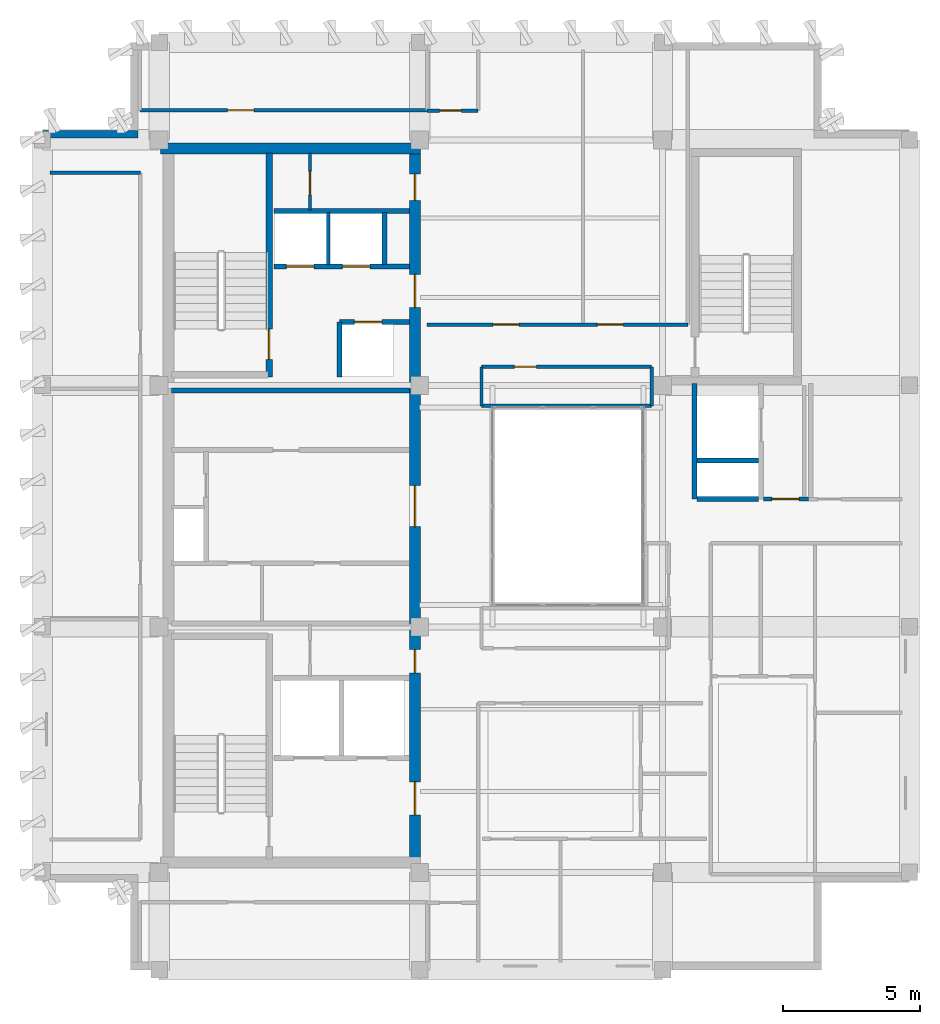
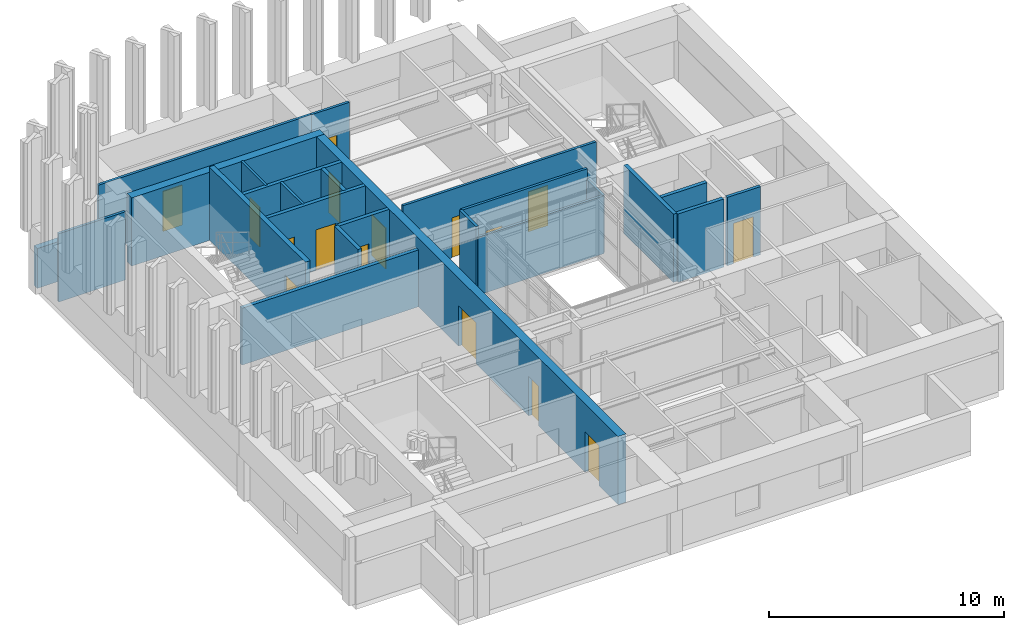
# One storey, part 8 of 11: 24 walls, 16 doors, 16 openings.
"""IFC4 building model written with IfcOpenShell, lengths in metres."""

from ifc_helpers import new_model, si_unit, direction, frame, frame_2d, origin, place, context, subcontext, project, spatial, rectangle, extrude, material, layer, layer_set, type_object, element, fill, save


model = new_model("IFC4")

# Units and contexts
model_context = context("Model", 3, precision=1e-05, world=origin(), true_north=direction((0.0, 1.0)))
body_context = subcontext(model_context, "Body", "Model", "MODEL_VIEW")
ifc_project = project(units=[si_unit("LENGTHUNIT", "METRE"), si_unit("AREAUNIT", "SQUARE_METRE"), si_unit("VOLUMEUNIT", "CUBIC_METRE"), si_unit("PLANEANGLEUNIT", "RADIAN"), si_unit("MASSUNIT", "GRAM", prefix="KILO")], contexts=[model_context])

# Site, building, storey
site_placement = place(None, origin())
site = spatial("IfcSite", under=ifc_project, at=site_placement, CompositionType="ELEMENT")
building_placement = place(site_placement, origin())
building = spatial("IfcBuilding", under=site, at=building_placement, Name="Kundavana Baori Tower", CompositionType="ELEMENT")
storey_placement = place(building_placement, frame((0.0, 0.0, 346.699951171875)))
storey = spatial("IfcBuildingStorey", under=building, at=storey_placement, Name="L86", CompositionType="ELEMENT", Elevation=346.699951171875)

# Wall
ifc_material_1 = material(Name="Concrete C50/60", Category="concrete")
ifc_layer_1 = layer(ifc_material_1, 0.39990234375, Name="WL-CORE-400")
ifc_layer_set_1 = layer_set([ifc_layer_1], Name="Concrete C50/60")
wall_type_1 = type_object("IfcWallType", Name="WL-CORE-400", PredefinedType="SHEAR", material=ifc_layer_set_1)
wall_1_placement = place(storey_placement, frame((15.5, 41.639892578125, 0.0), z_axis=(0.0, 0.0, 1.0), x_axis=(1.0, 0.0, 0.0)))
element("IfcWall", 1, at=wall_1_placement, inside=storey, type_object=wall_type_1, Name="L86 Offset Core North Shear Wall", PredefinedType="SHEAR", context=body_context, shape_type="SweptSolid", body=[
    extrude(rectangle(XDim=9.47998046875, YDim=0.39990234375, at=frame_2d((4.739990234375, 0.0))), origin(), (0.0, 0.0, 1.0), 3.550048828125),
])

# Wall, openings, doors
wall_2_placement = place(storey_placement, frame((24.780029296875, 15.739990234375, 0.0), z_axis=(0.0, 0.0, 1.0), x_axis=(0.0, 1.0, 0.0)))
wall_2 = element("IfcWall", 2, at=wall_2_placement, inside=storey, type_object=wall_type_1, Name="L86 Offset Core East Shear Wall", PredefinedType="SHEAR", context=body_context, shape_type="SweptSolid", body=[
    extrude(rectangle(XDim=25.760009765625, YDim=0.39990234375, at=frame_2d((12.8798828125, 0.0))), origin(), (0.0, 0.0, 1.0), 3.550048828125),
])
opening_1_placement = place(wall_2_placement, frame((1.610107421875, 0.0, 0.0)))
opening_1 = element("IfcOpeningElement", 3, at=opening_1_placement, cuts=wall_2, Name="Opening FD-120", PredefinedType="OPENING", context=body_context, shape_type="SweptSolid", body=[
    extrude(rectangle(XDim=1.199951171875, YDim=2.10009765625, at=frame_2d((0.60009765625, 1.050048828125))), frame((0.0, 0.2099609375, 0.0), z_axis=(0.0, -1.0, 0.0), x_axis=(1.0, 0.0, 0.0)), (0.0, 0.0, 1.0), 0.419921875),
])
opening_2_placement = place(wall_2_placement, frame((6.780029296875, 0.0, 0.0)))
opening_2 = element("IfcOpeningElement", 4, at=opening_2_placement, cuts=wall_2, Name="Opening FD-085", PredefinedType="OPENING", context=body_context, shape_type="SweptSolid", body=[
    extrude(rectangle(XDim=0.85009765625, YDim=2.06005859375, at=frame_2d((0.425048828125, 1.030029296875))), frame((0.0, 0.2099609375, 0.0), z_axis=(0.0, -1.0, 0.0), x_axis=(1.0, 0.0, 0.0)), (0.0, 0.0, 1.0), 0.419921875),
])
opening_3_placement = place(wall_2_placement, frame((12.110107421875, 0.0, 0.0)))
opening_3 = element("IfcOpeningElement", 5, at=opening_3_placement, cuts=wall_2, Name="Opening FD-150", PredefinedType="OPENING", context=body_context, shape_type="SweptSolid", body=[
    extrude(rectangle(XDim=1.5, YDim=2.1201171875, at=frame_2d((0.75, 1.06005859375))), frame((0.0, 0.2099609375, 0.0), z_axis=(0.0, -1.0, 0.0), x_axis=(1.0, 0.0, 0.0)), (0.0, 0.0, 1.0), 0.419921875),
])
opening_4_placement = place(wall_2_placement, frame((20.110107421875, 0.0, 0.0)))
opening_4 = element("IfcOpeningElement", 6, at=opening_4_placement, cuts=wall_2, Name="Opening FD-122", PredefinedType="OPENING", context=body_context, shape_type="SweptSolid", body=[
    extrude(rectangle(XDim=1.199951171875, YDim=2.1201171875, at=frame_2d((0.60009765625, 1.06005859375))), frame((0.0, 0.2099609375, 0.0), z_axis=(0.0, -1.0, 0.0), x_axis=(1.0, 0.0, 0.0)), (0.0, 0.0, 1.0), 0.419921875),
])
opening_5_placement = place(wall_2_placement, frame((24.010009765625, 0.0, 0.0)))
opening_5 = element("IfcOpeningElement", 7, at=opening_5_placement, cuts=wall_2, Name="Opening FD-095", PredefinedType="OPENING", context=body_context, shape_type="SweptSolid", body=[
    extrude(rectangle(XDim=0.949951171875, YDim=2.10009765625, at=frame_2d((0.47509765625, 1.050048828125))), frame((0.0, 0.2099609375, 0.0), z_axis=(0.0, -1.0, 0.0), x_axis=(1.0, 0.0, 0.0)), (0.0, 0.0, 1.0), 0.419921875),
])
ifc_material_2 = material(Name="Galvanised Steel Fire-Rated Door Leaf", Category="steel")
door_type_1 = type_object("IfcDoorType", Name="DR-FD120-1200", OperationType="NOTDEFINED", PredefinedType="DOOR", material=ifc_material_2)
door_1_placement = place(opening_1_placement, frame((1.199951171875, 0.0, 0.0), z_axis=(0.0, 0.0, 1.0), x_axis=(-1.0, 0.0, 0.0)))
door_1 = element("IfcDoor", 8, at=door_1_placement, inside=storey, type_object=door_type_1, Name="DR-L86-FFLOB-E", OperationType="SINGLE_SWING_RIGHT", OverallHeight=2.10009765625, OverallWidth=1.199951171875, PredefinedType="DOOR", context=body_context, shape_type="SweptSolid", body=[
    extrude(rectangle(XDim=1.199951171875, YDim=2.10009765625, at=frame_2d((0.60009765625, 1.050048828125))), frame((0.0, 0.02490234375, 0.0), z_axis=(0.0, -1.0, 0.0), x_axis=(1.0, 0.0, 0.0)), (0.0, 0.0, 1.0), 0.050048828125),
])
fill(opening_1, door_1)
ifc_material_3 = material(Name="Galvanised Steel Fire-Rated Door Leaf", Category="steel")
door_type_2 = type_object("IfcDoorType", Name="DR-FD60-1200", OperationType="NOTDEFINED", PredefinedType="DOOR", material=ifc_material_3)
door_2_placement = place(opening_4_placement, frame((1.199951171875, 0.0, 0.0), z_axis=(0.0, 0.0, 1.0), x_axis=(-1.0, 0.0, 0.0)))
door_2 = element("IfcDoor", 9, at=door_2_placement, inside=storey, type_object=door_type_2, Name="DR-L86-HRLOB-E", OperationType="SINGLE_SWING_RIGHT", OverallHeight=2.1201171875, OverallWidth=1.199951171875, PredefinedType="DOOR", context=body_context, shape_type="SweptSolid", body=[
    extrude(rectangle(XDim=1.199951171875, YDim=2.1201171875, at=frame_2d((0.60009765625, 1.06005859375))), frame((0.0, 0.02490234375, 0.0), z_axis=(0.0, -1.0, 0.0), x_axis=(1.0, 0.0, 0.0)), (0.0, 0.0, 1.0), 0.050048828125),
])
fill(opening_4, door_2)
ifc_material_4 = material(Name="Galvanised Steel Fire-Rated Door Leaf", Category="steel")
door_type_3 = type_object("IfcDoorType", Name="DR-FD60-1500", OperationType="NOTDEFINED", PredefinedType="DOOR", material=ifc_material_4)
door_3_placement = place(opening_3_placement, frame((1.5, 0.0, 0.0), z_axis=(0.0, 0.0, 1.0), x_axis=(-1.0, 0.0, 0.0)))
door_3 = element("IfcDoor", 10, at=door_3_placement, inside=storey, type_object=door_type_3, Name="DR-L86-LIFTHALL-E", OperationType="SINGLE_SWING_LEFT", OverallHeight=2.1201171875, OverallWidth=1.5, PredefinedType="DOOR", context=body_context, shape_type="SweptSolid", body=[
    extrude(rectangle(XDim=1.5, YDim=2.1201171875, at=frame_2d((0.75, 1.06005859375))), frame((0.0, 0.02490234375, 0.0), z_axis=(0.0, -1.0, 0.0), x_axis=(1.0, 0.0, 0.0)), (0.0, 0.0, 1.0), 0.050048828125),
])
fill(opening_3, door_3)
ifc_material_5 = material(Name="Galvanised Steel Fire-Rated Door Leaf", Category="steel")
door_type_4 = type_object("IfcDoorType", Name="DR-FD60-850", OperationType="NOTDEFINED", PredefinedType="DOOR", material=ifc_material_5)
door_4_placement = place(opening_2_placement, frame((0.85009765625, 0.0, 0.0), z_axis=(0.0, 0.0, 1.0), x_axis=(-1.0, 0.0, 0.0)))
door_4 = element("IfcDoor", 11, at=door_4_placement, inside=storey, type_object=door_type_4, Name="DR-L86-CSMK2", OperationType="SINGLE_SWING_LEFT", OverallHeight=2.06005859375, OverallWidth=0.85009765625, PredefinedType="DOOR", context=body_context, shape_type="SweptSolid", body=[
    extrude(rectangle(XDim=0.85009765625, YDim=2.06005859375, at=frame_2d((0.425048828125, 1.030029296875))), frame((0.0, 0.02490234375, 0.0), z_axis=(0.0, -1.0, 0.0), x_axis=(1.0, 0.0, 0.0)), (0.0, 0.0, 1.0), 0.050048828125),
])
fill(opening_2, door_4)
ifc_material_6 = material(Name="Engineered Teak Fire-Rated Timber Door Leaf", Category="wood")
door_type_5 = type_object("IfcDoorType", Name="DR-FD60-950", OperationType="NOTDEFINED", PredefinedType="DOOR", material=ifc_material_6)
door_5_placement = place(opening_5_placement, frame((0.949951171875, 0.0, 0.0), z_axis=(0.0, 0.0, 1.0), x_axis=(-1.0, 0.0, 0.0)))
door_5 = element("IfcDoor", 12, at=door_5_placement, inside=storey, type_object=door_type_5, Name="DR-L86-CSRV2", OperationType="SINGLE_SWING_LEFT", OverallHeight=2.10009765625, OverallWidth=0.949951171875, PredefinedType="DOOR", context=body_context, shape_type="SweptSolid", body=[
    extrude(rectangle(XDim=0.949951171875, YDim=2.10009765625, at=frame_2d((0.47509765625, 1.050048828125))), frame((0.0, 0.02490234375, 0.0), z_axis=(0.0, -1.0, 0.0), x_axis=(1.0, 0.0, 0.0)), (0.0, 0.0, 1.0), 0.050048828125),
])
fill(opening_5, door_5)

# Wall, opening, door
wall_3_placement = place(storey_placement, frame((19.4599609375, 33.300048828125, 0.0), z_axis=(0.0, 0.0, 1.0), x_axis=(0.0, 1.0, 0.0)))
wall_3 = element("IfcWall", 13, at=wall_3_placement, inside=storey, type_object=wall_type_1, Name="WL-L86-ST2-E", PredefinedType="SHEAR", context=body_context, shape_type="SweptSolid", body=[
    extrude(rectangle(XDim=8.179931640625, YDim=0.239990234375, at=frame_2d((4.08984375, 0.0))), origin(), (0.0, 0.0, 1.0), 3.800048828125),
])
opening_6_placement = place(wall_3_placement, frame((0.64990234375, 0.0, 0.0)))
opening_6 = element("IfcOpeningElement", 14, at=opening_6_placement, cuts=wall_3, Name="Opening FD-110", PredefinedType="OPENING", context=body_context, shape_type="SweptSolid", body=[
    extrude(rectangle(XDim=1.10009765625, YDim=2.10009765625, at=frame_2d((0.550048828125, 1.050048828125))), frame((0.0, 0.1298828125, 0.0), z_axis=(0.0, -1.0, 0.0), x_axis=(1.0, 0.0, 0.0)), (0.0, 0.0, 1.0), 0.260009765625),
])
ifc_material_7 = material(Name="Galvanised Steel Fire-Rated Door Leaf", Category="steel")
door_type_6 = type_object("IfcDoorType", Name="DR-FD120-1100", OperationType="NOTDEFINED", PredefinedType="DOOR", material=ifc_material_7)
door_6_placement = place(opening_6_placement, origin())
door_6 = element("IfcDoor", 15, at=door_6_placement, inside=storey, type_object=door_type_6, Name="DR-L86-ST2", OperationType="SINGLE_SWING_RIGHT", OverallHeight=2.10009765625, OverallWidth=1.10009765625, PredefinedType="DOOR", context=body_context, shape_type="SweptSolid", body=[
    extrude(rectangle(XDim=1.10009765625, YDim=2.10009765625, at=frame_2d((0.550048828125, 1.050048828125))), frame((0.0, 0.02490234375, 0.0), z_axis=(0.0, -1.0, 0.0), x_axis=(1.0, 0.0, 0.0)), (0.0, 0.0, 1.0), 0.050048828125),
])
fill(opening_6, door_6)

# Walls
ifc_material_8 = material(Name="Red-Buff Dholpur Sandstone Cladding on Concrete C40/50", Category="masonry")
ifc_layer_2 = layer(ifc_material_8, 0.280029296875, Name="WL-EXT-SAND-280")
ifc_layer_set_2 = layer_set([ifc_layer_2], Name="Red-Buff Dholpur Sandstone Cladding on Concrete C40/50")
wall_type_2 = type_object("IfcWallType", Name="WL-EXT-SAND-280", PredefinedType="STANDARD", material=ifc_layer_set_2)
wall_4_placement = place(storey_placement, frame((14.679931640625, 42.159912109375, 0.0), z_axis=(0.0, 0.0, 1.0), x_axis=(-1.0, 0.0, 0.0)))
element("IfcWall", 16, at=wall_4_placement, inside=storey, type_object=wall_type_2, Name="L86 Exterior Insulated Facade Wall 09", PredefinedType="STANDARD", context=body_context, shape_type="SweptSolid", body=[
    extrude(rectangle(XDim=3.47998046875, YDim=0.280029296875, at=frame_2d((1.739990234375, 0.0))), origin(), (0.0, 0.0, 1.0), 2.070068359375),
])
ifc_material_9 = material(Name="Acoustic Gypsum Plasterboard on Galvanised Steel Studs", Category="steel")
ifc_layer_3 = layer(ifc_material_9, 0.1201171875, Name="WL-PART-120")
ifc_layer_set_3 = layer_set([ifc_layer_3], Name="Acoustic Gypsum Plasterboard on Galvanised Steel Studs")
wall_type_3 = type_object("IfcWallType", Name="WL-PART-120", PredefinedType="PARTITIONING", material=ifc_layer_set_3)
wall_5_placement = place(storey_placement, frame((21.6201171875, 37.39990234375, 0.0), z_axis=(0.0, 0.0, 1.0), x_axis=(0.0, 1.0, 0.0)))
element("IfcWall", 17, at=wall_5_placement, inside=storey, type_object=wall_type_3, Name="WL-L86-HR-DIV1", PredefinedType="PARTITIONING", context=body_context, shape_type="SweptSolid", body=[
    extrude(rectangle(XDim=1.900146484375, YDim=0.1201171875, at=frame_2d((0.9501953125, 0.0))), origin(), (0.0, 0.0, 1.0), 3.550048828125),
])

# Wall, opening, door
wall_6_placement = place(storey_placement, frame((20.949951171875, 39.39990234375, 0.0), z_axis=(0.0, 0.0, 1.0), x_axis=(0.0, 1.0, 0.0)))
wall_6 = element("IfcWall", 18, at=wall_6_placement, inside=storey, type_object=wall_type_3, Name="WL-L86-CSRV-D2", PredefinedType="PARTITIONING", context=body_context, shape_type="SweptSolid", body=[
    extrude(rectangle(XDim=2.080078125, YDim=0.1201171875, at=frame_2d((1.0400390625, 0.0))), origin(), (0.0, 0.0, 1.0), 3.550048828125),
])
opening_7_placement = place(wall_6_placement, frame((0.550048828125, 0.0, 0.0)))
opening_7 = element("IfcOpeningElement", 19, at=opening_7_placement, cuts=wall_6, Name="Opening FD-085", PredefinedType="OPENING", context=body_context, shape_type="SweptSolid", body=[
    extrude(rectangle(XDim=0.85009765625, YDim=2.06005859375, at=frame_2d((0.425048828125, 1.030029296875))), frame((0.0, 0.070068359375, 0.0), z_axis=(0.0, -1.0, 0.0), x_axis=(1.0, 0.0, 0.0)), (0.0, 0.0, 1.0), 0.14013671875),
])
door_7_placement = place(opening_7_placement, origin())
door_7 = element("IfcDoor", 20, at=door_7_placement, inside=storey, type_object=door_type_4, Name="DR-L86-CSRV1", OperationType="SINGLE_SWING_RIGHT", OverallHeight=2.06005859375, OverallWidth=0.85009765625, PredefinedType="DOOR", context=body_context, shape_type="SweptSolid", body=[
    extrude(rectangle(XDim=0.85009765625, YDim=2.06005859375, at=frame_2d((0.425048828125, 1.030029296875))), frame((0.0, 0.02490234375, 0.0), z_axis=(0.0, -1.0, 0.0), x_axis=(1.0, 0.0, 0.0)), (0.0, 0.0, 1.0), 0.050048828125),
])
fill(opening_7, door_7)

ifc_material_10 = material(Name="Fire-Rated Gypsum Drywall on Galvanised Steel Studs", Category="steel")
ifc_layer_4 = layer(ifc_material_10, 0.14990234375, Name="WL-PART-150")
ifc_layer_set_4 = layer_set([ifc_layer_4], Name="Fire-Rated Gypsum Drywall on Galvanised Steel Studs")
wall_type_4 = type_object("IfcWallType", Name="WL-PART-150", PredefinedType="PARTITIONING", material=ifc_layer_set_4)
wall_7_placement = place(storey_placement, frame((37.47998046875, 28.860107421875, 0.0), z_axis=(0.0, 0.0, 1.0), x_axis=(1.0, 0.0, 0.0)))
wall_7 = element("IfcWall", 21, at=wall_7_placement, inside=storey, type_object=wall_type_4, Name="WL-L86-SVLOB-S", PredefinedType="PARTITIONING", context=body_context, shape_type="SweptSolid", body=[
    extrude(rectangle(XDim=1.64013671875, YDim=0.14990234375, at=frame_2d((0.820068359375, 0.0))), origin(), (0.0, 0.0, 1.0), 3.550048828125),
])
opening_8_placement = place(wall_7_placement, frame((0.300048828125, 0.0, 0.0)))
opening_8 = element("IfcOpeningElement", 22, at=opening_8_placement, cuts=wall_7, Name="Opening FD-100", PredefinedType="OPENING", context=body_context, shape_type="SweptSolid", body=[
    extrude(rectangle(XDim=1.0, YDim=2.10009765625, at=frame_2d((0.5, 1.050048828125))), frame((0.0, 0.0849609375, 0.0), z_axis=(0.0, -1.0, 0.0), x_axis=(1.0, 0.0, 0.0)), (0.0, 0.0, 1.0), 0.169921875),
])
ifc_material_11 = material(Name="Engineered Teak Fire-Rated Timber Door Leaf", Category="wood")
door_type_7 = type_object("IfcDoorType", Name="DR-FD60-1000", OperationType="NOTDEFINED", PredefinedType="DOOR", material=ifc_material_11)
door_8_placement = place(opening_8_placement, origin())
door_8 = element("IfcDoor", 23, at=door_8_placement, inside=storey, type_object=door_type_7, Name="DR-L86-SVLOB-OUT", OperationType="SINGLE_SWING_LEFT", OverallHeight=2.10009765625, OverallWidth=1.0, PredefinedType="DOOR", context=body_context, shape_type="SweptSolid", body=[
    extrude(rectangle(XDim=1.0, YDim=2.10009765625, at=frame_2d((0.5, 1.050048828125))), frame((0.0, 0.02490234375, 0.0), z_axis=(0.0, -1.0, 0.0), x_axis=(1.0, 0.0, 0.0)), (0.0, 0.0, 1.0), 0.050048828125),
])
fill(opening_8, door_8)

# Wall
ifc_material_12 = material(Name="Autoclaved Aerated Concrete Blockwork Masonry", Category="masonry")
ifc_layer_5 = layer(ifc_material_12, 0.179931640625, Name="WL-SHAFT-180")
ifc_layer_set_5 = layer_set([ifc_layer_5], Name="Autoclaved Aerated Concrete Blockwork Masonry")
wall_type_5 = type_object("IfcWallType", Name="WL-SHAFT-180", PredefinedType="SOLIDWALL", material=ifc_layer_set_5)
wall_8_placement = place(storey_placement, frame((15.89990234375, 32.820068359375, 0.0), z_axis=(0.0, 0.0, 1.0), x_axis=(1.0, 0.0, 0.0)))
element("IfcWall", 24, at=wall_8_placement, inside=storey, type_object=wall_type_5, Name="WL-L86-LPMID-N", PredefinedType="SOLIDWALL", context=body_context, shape_type="SweptSolid", body=[
    extrude(rectangle(XDim=8.68017578125, YDim=0.179931640625, at=frame_2d((4.340087890625, 0.0))), origin(), (0.0, 0.0, 1.0), 2.949951171875),
])

# Wall, opening, door
wall_9_placement = place(storey_placement, frame((22.02001953125, 35.31005859375, 0.0), z_axis=(0.0, 0.0, 1.0), x_axis=(1.0, 0.0, 0.0)))
wall_9 = element("IfcWall", 25, at=wall_9_placement, inside=storey, type_object=wall_type_5, Name="WL-L86-LP11-N", PredefinedType="SOLIDWALL", context=body_context, shape_type="SweptSolid", body=[
    extrude(rectangle(XDim=2.56005859375, YDim=0.179931640625, at=frame_2d((1.280029296875, 0.0))), origin(), (0.0, 0.0, 1.0), 3.550048828125),
])
opening_9_placement = place(wall_9_placement, frame((0.550048828125, 0.0, 0.0)))
opening_9 = element("IfcOpeningElement", 26, at=opening_9_placement, cuts=wall_9, Name="Opening LD-100", PredefinedType="OPENING", context=body_context, shape_type="SweptSolid", body=[
    extrude(rectangle(XDim=1.0, YDim=2.10009765625, at=frame_2d((0.5, 1.050048828125))), frame((0.0, 0.10009765625, 0.0), z_axis=(0.0, -1.0, 0.0), x_axis=(1.0, 0.0, 0.0)), (0.0, 0.0, 1.0), 0.199951171875),
])
ifc_material_13 = material(Name="Galvanised Steel Fire-Rated Door Leaf", Category="steel")
door_type_8 = type_object("IfcDoorType", Name="DR-SLIDE-LD1000", OperationType="NOTDEFINED", PredefinedType="DOOR", material=ifc_material_13)
door_9_placement = place(opening_9_placement, origin())
door_9 = element("IfcDoor", 27, at=door_9_placement, inside=storey, type_object=door_type_8, Name="DR-L86-LD-LP11", OperationType="DOUBLE_DOOR_SLIDING", OverallHeight=2.10009765625, OverallWidth=1.0, PredefinedType="DOOR", context=body_context, shape_type="SweptSolid", body=[
    extrude(rectangle(XDim=1.0, YDim=2.10009765625, at=frame_2d((0.5, 1.050048828125))), frame((0.0, 0.02490234375, 0.0), z_axis=(0.0, -1.0, 0.0), x_axis=(1.0, 0.0, 0.0)), (0.0, 0.0, 1.0), 0.050048828125),
])
fill(opening_9, door_9)

# Wall
wall_10_placement = place(storey_placement, frame((22.02001953125, 33.300048828125, 0.0), z_axis=(0.0, 0.0, 1.0), x_axis=(0.0, 1.0, 0.0)))
element("IfcWall", 28, at=wall_10_placement, inside=storey, type_object=wall_type_5, Name="WL-L86-LP11-W", PredefinedType="SOLIDWALL", context=body_context, shape_type="SweptSolid", body=[
    extrude(rectangle(XDim=2.010009765625, YDim=0.179931640625, at=frame_2d((1.0048828125, 0.0))), origin(), (0.0, 0.0, 1.0), 3.550048828125),
])

# Wall, openings, doors
wall_11_placement = place(storey_placement, frame((19.639892578125, 37.340087890625, 0.0), z_axis=(0.0, 0.0, 1.0), x_axis=(1.0, 0.0, 0.0)))
wall_11 = element("IfcWall", 29, at=wall_11_placement, inside=storey, type_object=wall_type_5, Name="WL-L86-HRLOB-N", PredefinedType="SOLIDWALL", context=body_context, shape_type="SweptSolid", body=[
    extrude(rectangle(XDim=4.940185546875, YDim=0.179931640625, at=frame_2d((2.47021484375, 0.0))), origin(), (0.0, 0.0, 1.0), 3.550048828125),
])
opening_10_placement = place(wall_11_placement, frame((0.449951171875, 0.0, 0.0)))
opening_10 = element("IfcOpeningElement", 30, at=opening_10_placement, cuts=wall_11, Name="Opening LD-100", PredefinedType="OPENING", context=body_context, shape_type="SweptSolid", body=[
    extrude(rectangle(XDim=1.0, YDim=2.10009765625, at=frame_2d((0.5, 1.050048828125))), frame((0.0, 0.10009765625, 0.0), z_axis=(0.0, -1.0, 0.0), x_axis=(1.0, 0.0, 0.0)), (0.0, 0.0, 1.0), 0.199951171875),
])
opening_11_placement = place(wall_11_placement, frame((2.5, 0.0, 0.0)))
opening_11 = element("IfcOpeningElement", 31, at=opening_11_placement, cuts=wall_11, Name="Opening LD-100", PredefinedType="OPENING", context=body_context, shape_type="SweptSolid", body=[
    extrude(rectangle(XDim=1.0, YDim=2.10009765625, at=frame_2d((0.5, 1.050048828125))), frame((0.0, 0.10009765625, 0.0), z_axis=(0.0, -1.0, 0.0), x_axis=(1.0, 0.0, 0.0)), (0.0, 0.0, 1.0), 0.199951171875),
])
door_10_placement = place(opening_10_placement, frame((1.0, 0.0, 0.0), z_axis=(0.0, 0.0, 1.0), x_axis=(-1.0, 0.0, 0.0)))
door_10 = element("IfcDoor", 32, at=door_10_placement, inside=storey, type_object=door_type_8, Name="DR-L86-LD-LP09", OperationType="DOUBLE_DOOR_SLIDING", OverallHeight=2.10009765625, OverallWidth=1.0, PredefinedType="DOOR", context=body_context, shape_type="SweptSolid", body=[
    extrude(rectangle(XDim=1.0, YDim=2.10009765625, at=frame_2d((0.5, 1.050048828125))), frame((0.0, 0.02490234375, 0.0), z_axis=(0.0, -1.0, 0.0), x_axis=(1.0, 0.0, 0.0)), (0.0, 0.0, 1.0), 0.050048828125),
])
fill(opening_10, door_10)
door_11_placement = place(opening_11_placement, frame((1.0, 0.0, 0.0), z_axis=(0.0, 0.0, 1.0), x_axis=(-1.0, 0.0, 0.0)))
door_11 = element("IfcDoor", 33, at=door_11_placement, inside=storey, type_object=door_type_8, Name="DR-L86-LD-LP10", OperationType="DOUBLE_DOOR_SLIDING", OverallHeight=2.10009765625, OverallWidth=1.0, PredefinedType="DOOR", context=body_context, shape_type="SweptSolid", body=[
    extrude(rectangle(XDim=1.0, YDim=2.10009765625, at=frame_2d((0.5, 1.050048828125))), frame((0.0, 0.02490234375, 0.0), z_axis=(0.0, -1.0, 0.0), x_axis=(1.0, 0.0, 0.0)), (0.0, 0.0, 1.0), 0.050048828125),
])
fill(opening_11, door_11)

# Walls
wall_12_placement = place(storey_placement, frame((19.639892578125, 39.360107421875, 0.0), z_axis=(0.0, 0.0, 1.0), x_axis=(1.0, 0.0, 0.0)))
element("IfcWall", 34, at=wall_12_placement, inside=storey, type_object=wall_type_5, Name="WL-L86-HRLOB-TOP", PredefinedType="SOLIDWALL", context=body_context, shape_type="SweptSolid", body=[
    extrude(rectangle(XDim=4.940185546875, YDim=0.179931640625, at=frame_2d((2.47021484375, 0.0))), origin(), (0.0, 0.0, 1.0), 3.550048828125),
])
wall_13_placement = place(storey_placement, frame((23.659912109375, 37.39990234375, 0.0), z_axis=(0.0, 0.0, 1.0), x_axis=(0.0, 1.0, 0.0)))
element("IfcWall", 35, at=wall_13_placement, inside=storey, type_object=wall_type_5, Name="WL-L86-HR-DIV2", PredefinedType="SOLIDWALL", context=body_context, shape_type="SweptSolid", body=[
    extrude(rectangle(XDim=1.900146484375, YDim=0.179931640625, at=frame_2d((0.9501953125, 0.0))), origin(), (0.0, 0.0, 1.0), 3.550048828125),
])
wall_14_placement = place(storey_placement, frame((34.9599609375, 28.860107421875, 0.0), z_axis=(0.0, 0.0, 1.0), x_axis=(0.0, 1.0, 0.0)))
element("IfcWall", 36, at=wall_14_placement, inside=storey, type_object=wall_type_5, Name="WL-L86-SVL-W", PredefinedType="SOLIDWALL", context=body_context, shape_type="SweptSolid", body=[
    extrude(rectangle(XDim=4.219970703125, YDim=0.179931640625, at=frame_2d((2.10986328125, 0.0))), origin(), (0.0, 0.0, 1.0), 3.550048828125),
])
for number, where, z_axis, x_axis, name in (
    (37, (35.050048828125, 28.860107421875, 0.0), (0.0, 0.0, 1.0), (1.0, 0.0, 0.0), "WL-L86-SVL-S"),
    (38, (35.050048828125, 30.27001953125, 0.0), (0.0, 0.0, 1.0), (1.0, 0.0, 0.0), "WL-L86-SVL-M"),
):
    element("IfcWall", number, at=place(storey_placement, frame(where, z_axis=z_axis, x_axis=x_axis)), inside=storey, type_object=wall_type_5, Name=name, PredefinedType="SOLIDWALL", context=body_context, shape_type="SweptSolid", body=[
        extrude(rectangle(XDim=2.25, YDim=0.179931640625, at=frame_2d((1.125, 0.0))), origin(), (0.0, 0.0, 1.0), 3.550048828125),
    ])

# Wall, openings, doors
ifc_material_14 = material(Name="Autoclaved Aerated Concrete Blockwork Masonry", Category="masonry")
ifc_layer_6 = layer(ifc_material_14, 0.125, Name="WL-WET-120")
ifc_layer_set_6 = layer_set([ifc_layer_6], Name="Autoclaved Aerated Concrete Blockwork Masonry")
wall_type_6 = type_object("IfcWallType", Name="WL-WET-120", PredefinedType="PLUMBINGWALL", material=ifc_layer_set_6)
wall_15_placement = place(storey_placement, frame((25.219970703125, 35.219970703125, 0.0), z_axis=(0.0, 0.0, 1.0), x_axis=(1.0, 0.0, 0.0)))
wall_15 = element("IfcWall", 39, at=wall_15_placement, inside=storey, type_object=wall_type_6, Name="WL-L86-RN", PredefinedType="PLUMBINGWALL", context=body_context, shape_type="SweptSolid", body=[
    extrude(rectangle(XDim=9.5, YDim=0.125, at=frame_2d((4.75, 0.0))), origin(), (0.0, 0.0, 1.0), 3.550048828125),
])
opening_12_placement = place(wall_15_placement, frame((2.39990234375, 0.0, 0.0)))
opening_12 = element("IfcOpeningElement", 40, at=opening_12_placement, cuts=wall_15, Name="Opening ID-095", PredefinedType="OPENING", context=body_context, shape_type="SweptSolid", body=[
    extrude(rectangle(XDim=0.949951171875, YDim=2.080078125, at=frame_2d((0.47509765625, 1.0400390625))), frame((0.0, 0.072509765625, 0.0), z_axis=(0.0, -1.0, 0.0), x_axis=(1.0, 0.0, 0.0)), (0.0, 0.0, 1.0), 0.14501953125),
])
opening_13_placement = place(wall_15_placement, frame((6.199951171875, 0.0, 0.0)))
opening_13 = element("IfcOpeningElement", 41, at=opening_13_placement, cuts=wall_15, Name="Opening ID-095", PredefinedType="OPENING", context=body_context, shape_type="SweptSolid", body=[
    extrude(rectangle(XDim=0.949951171875, YDim=2.080078125, at=frame_2d((0.47509765625, 1.0400390625))), frame((0.0, 0.072509765625, 0.0), z_axis=(0.0, -1.0, 0.0), x_axis=(1.0, 0.0, 0.0)), (0.0, 0.0, 1.0), 0.14501953125),
])
ifc_material_15 = material(Name="Engineered Teak Solid-Core Timber Veneer", Category="wood")
door_type_9 = type_object("IfcDoorType", Name="DR-INT-950", OperationType="NOTDEFINED", PredefinedType="DOOR", material=ifc_material_15)
door_12_placement = place(opening_12_placement, origin())
door_12 = element("IfcDoor", 42, at=door_12_placement, inside=storey, type_object=door_type_9, Name="DR-L86-RLN1", OperationType="SINGLE_SWING_LEFT", OverallHeight=2.080078125, OverallWidth=0.949951171875, PredefinedType="DOOR", context=body_context, shape_type="SweptSolid", body=[
    extrude(rectangle(XDim=0.949951171875, YDim=2.080078125, at=frame_2d((0.47509765625, 1.0400390625))), frame((0.0, 0.02490234375, 0.0), z_axis=(0.0, -1.0, 0.0), x_axis=(1.0, 0.0, 0.0)), (0.0, 0.0, 1.0), 0.050048828125),
])
fill(opening_12, door_12)
door_13_placement = place(opening_13_placement, origin())
door_13 = element("IfcDoor", 43, at=door_13_placement, inside=storey, type_object=door_type_9, Name="DR-L86-RLN2", OperationType="SINGLE_SWING_RIGHT", OverallHeight=2.080078125, OverallWidth=0.949951171875, PredefinedType="DOOR", context=body_context, shape_type="SweptSolid", body=[
    extrude(rectangle(XDim=0.949951171875, YDim=2.080078125, at=frame_2d((0.47509765625, 1.0400390625))), frame((0.0, 0.02490234375, 0.0), z_axis=(0.0, -1.0, 0.0), x_axis=(1.0, 0.0, 0.0)), (0.0, 0.0, 1.0), 0.050048828125),
])
fill(opening_13, door_13)

# Wall, opening, door
wall_16_placement = place(storey_placement, frame((14.75, 43.030029296875, 0.0), z_axis=(0.0, 0.0, 1.0), x_axis=(1.0, 0.0, 0.0)))
wall_16 = element("IfcWall", 44, at=wall_16_placement, inside=storey, type_object=wall_type_6, Name="WL-L86-RNC", PredefinedType="PLUMBINGWALL", context=body_context, shape_type="SweptSolid", body=[
    extrude(rectangle(XDim=10.469970703125, YDim=0.125, at=frame_2d((5.23486328125, 0.0))), origin(), (0.0, 0.0, 1.0), 3.550048828125),
])
opening_14_placement = place(wall_16_placement, frame((3.199951171875, 0.0, 0.0)))
opening_14 = element("IfcOpeningElement", 45, at=opening_14_placement, cuts=wall_16, Name="Opening ID-095", PredefinedType="OPENING", context=body_context, shape_type="SweptSolid", body=[
    extrude(rectangle(XDim=0.949951171875, YDim=2.080078125, at=frame_2d((0.47509765625, 1.0400390625))), frame((0.0, 0.072509765625, 0.0), z_axis=(0.0, -1.0, 0.0), x_axis=(1.0, 0.0, 0.0)), (0.0, 0.0, 1.0), 0.14501953125),
])
door_14_placement = place(opening_14_placement, origin())
door_14 = element("IfcDoor", 46, at=door_14_placement, inside=storey, type_object=door_type_9, Name="DR-L86-RMNW", OperationType="SINGLE_SWING_RIGHT", OverallHeight=2.080078125, OverallWidth=0.949951171875, PredefinedType="DOOR", context=body_context, shape_type="SweptSolid", body=[
    extrude(rectangle(XDim=0.949951171875, YDim=2.080078125, at=frame_2d((0.47509765625, 1.0400390625))), frame((0.0, 0.02490234375, 0.0), z_axis=(0.0, -1.0, 0.0), x_axis=(1.0, 0.0, 0.0)), (0.0, 0.0, 1.0), 0.050048828125),
])
fill(opening_14, door_14)

# Wall
wall_17_placement = place(storey_placement, frame((11.47998046875, 40.75, 0.0), z_axis=(0.0, 0.0, 1.0), x_axis=(1.0, 0.0, 0.0)))
element("IfcWall", 47, at=wall_17_placement, inside=storey, type_object=wall_type_6, Name="WL-L86-RWN", PredefinedType="PLUMBINGWALL", context=body_context, shape_type="SweptSolid", body=[
    extrude(rectangle(XDim=3.2900390625, YDim=0.125, at=frame_2d((1.64501953125, 0.0))), origin(), (0.0, 0.0, 1.0), 3.550048828125),
])

# Wall, opening, door
wall_18_placement = place(storey_placement, frame((25.219970703125, 43.02001953125, 0.0), z_axis=(0.0, 0.0, 1.0), x_axis=(1.0, 0.0, 0.0)))
wall_18 = element("IfcWall", 48, at=wall_18_placement, inside=storey, type_object=wall_type_6, Name="WL-L86-CNCS", PredefinedType="PLUMBINGWALL", context=body_context, shape_type="SweptSolid", body=[
    extrude(rectangle(XDim=1.860107421875, YDim=0.125, at=frame_2d((0.93017578125, 0.0))), origin(), (0.0, 0.0, 1.0), 3.550048828125),
])
opening_15_placement = place(wall_18_placement, frame((0.449951171875, 0.0, 0.0)))
opening_15 = element("IfcOpeningElement", 49, at=opening_15_placement, cuts=wall_18, Name="Opening WD-080", PredefinedType="OPENING", context=body_context, shape_type="SweptSolid", body=[
    extrude(rectangle(XDim=0.800048828125, YDim=2.050048828125, at=frame_2d((0.39990234375, 1.02490234375))), frame((0.0, 0.072509765625, 0.0), z_axis=(0.0, -1.0, 0.0), x_axis=(1.0, 0.0, 0.0)), (0.0, 0.0, 1.0), 0.14501953125),
])
ifc_material_16 = material(Name="Engineered Teak Solid-Core Timber Veneer", Category="wood")
door_type_10 = type_object("IfcDoorType", Name="DR-WET-800", OperationType="NOTDEFINED", PredefinedType="DOOR", material=ifc_material_16)
door_15_placement = place(opening_15_placement, frame((0.800048828125, 0.0, 0.0), z_axis=(0.0, 0.0, 1.0), x_axis=(-1.0, 0.0, 0.0)))
door_15 = element("IfcDoor", 50, at=door_15_placement, inside=storey, type_object=door_type_10, Name="DR-L86-CSCN", OperationType="SINGLE_SWING_LEFT", OverallHeight=2.050048828125, OverallWidth=0.800048828125, PredefinedType="DOOR", context=body_context, shape_type="SweptSolid", body=[
    extrude(rectangle(XDim=0.800048828125, YDim=2.050048828125, at=frame_2d((0.39990234375, 1.02490234375))), frame((0.0, 0.02490234375, 0.0), z_axis=(0.0, -1.0, 0.0), x_axis=(1.0, 0.0, 0.0)), (0.0, 0.0, 1.0), 0.050048828125),
])
fill(opening_15, door_15)

wall_19_placement = place(storey_placement, frame((27.199951171875, 33.679931640625, 0.0), z_axis=(0.0, 0.0, 1.0), x_axis=(1.0, 0.0, 0.0)))
wall_19 = element("IfcWall", 51, at=wall_19_placement, inside=storey, type_object=wall_type_6, Name="WL-L86-CNAN", PredefinedType="PLUMBINGWALL", context=body_context, shape_type="SweptSolid", body=[
    extrude(rectangle(XDim=6.199951171875, YDim=0.125, at=frame_2d((3.10009765625, 0.0))), origin(), (0.0, 0.0, 1.0), 3.550048828125),
])
opening_16_placement = place(wall_19_placement, frame((1.199951171875, 0.0, 0.0)))
opening_16 = element("IfcOpeningElement", 52, at=opening_16_placement, cuts=wall_19, Name="Opening WD-080", PredefinedType="OPENING", context=body_context, shape_type="SweptSolid", body=[
    extrude(rectangle(XDim=0.800048828125, YDim=2.050048828125, at=frame_2d((0.39990234375, 1.02490234375))), frame((0.0, 0.072509765625, 0.0), z_axis=(0.0, -1.0, 0.0), x_axis=(1.0, 0.0, 0.0)), (0.0, 0.0, 1.0), 0.14501953125),
])
door_16_placement = place(opening_16_placement, frame((0.800048828125, 0.0, 0.0), z_axis=(0.0, 0.0, 1.0), x_axis=(-1.0, 0.0, 0.0)))
door_16 = element("IfcDoor", 53, at=door_16_placement, inside=storey, type_object=door_type_10, Name="DR-L86-CSNA", OperationType="SINGLE_SWING_LEFT", OverallHeight=2.050048828125, OverallWidth=0.800048828125, PredefinedType="DOOR", context=body_context, shape_type="SweptSolid", body=[
    extrude(rectangle(XDim=0.800048828125, YDim=2.050048828125, at=frame_2d((0.39990234375, 1.02490234375))), frame((0.0, 0.02490234375, 0.0), z_axis=(0.0, -1.0, 0.0), x_axis=(1.0, 0.0, 0.0)), (0.0, 0.0, 1.0), 0.050048828125),
])
fill(opening_16, door_16)

# Walls
wall_20_placement = place(storey_placement, frame((27.199951171875, 32.260009765625, 0.0), z_axis=(0.0, 0.0, 1.0), x_axis=(1.0, 0.0, 0.0)))
element("IfcWall", 54, at=wall_20_placement, inside=storey, type_object=wall_type_6, Name="WL-L86-CNAS", PredefinedType="PLUMBINGWALL", context=body_context, shape_type="SweptSolid", body=[
    extrude(rectangle(XDim=6.199951171875, YDim=0.125, at=frame_2d((3.10009765625, 0.0))), origin(), (0.0, 0.0, 1.0), 3.0),
])
wall_21_placement = place(storey_placement, frame((27.199951171875, 32.260009765625, 0.0), z_axis=(0.0, 0.0, 1.0), x_axis=(0.0, 1.0, 0.0)))
element("IfcWall", 55, at=wall_21_placement, inside=storey, type_object=wall_type_6, Name="WL-L86-CNAW", PredefinedType="PLUMBINGWALL", context=body_context, shape_type="SweptSolid", body=[
    extrude(rectangle(XDim=1.419921875, YDim=0.125, at=frame_2d((0.7099609375, 0.0))), origin(), (0.0, 0.0, 1.0), 3.550048828125),
])
wall_22_placement = place(storey_placement, frame((33.39990234375, 32.260009765625, 0.0), z_axis=(0.0, 0.0, 1.0), x_axis=(0.0, 1.0, 0.0)))
element("IfcWall", 56, at=wall_22_placement, inside=storey, type_object=wall_type_6, Name="WL-L86-CNAE", PredefinedType="PLUMBINGWALL", context=body_context, shape_type="SweptSolid", body=[
    extrude(rectangle(XDim=1.419921875, YDim=0.125, at=frame_2d((0.7099609375, 0.0))), origin(), (0.0, 0.0, 1.0), 3.0),
])

save(model, "model.ifc")
